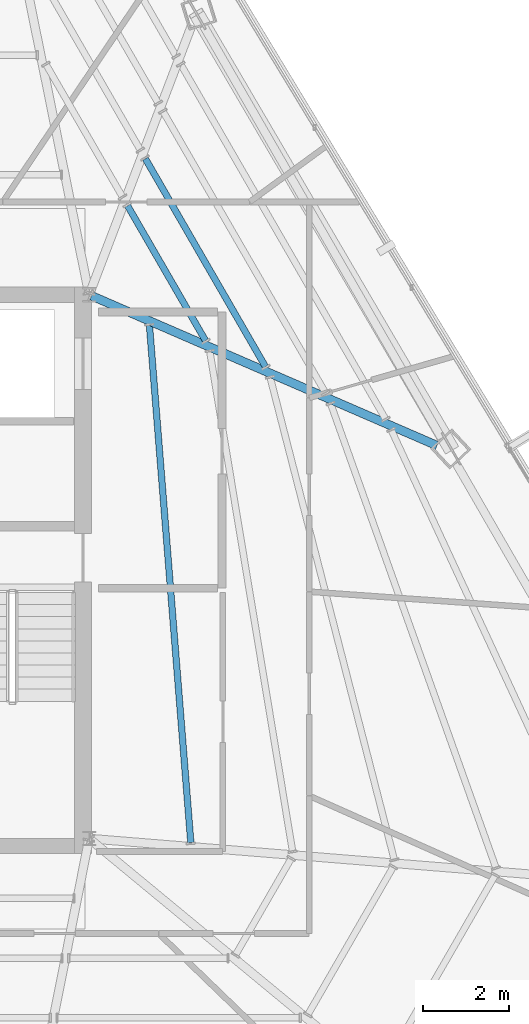
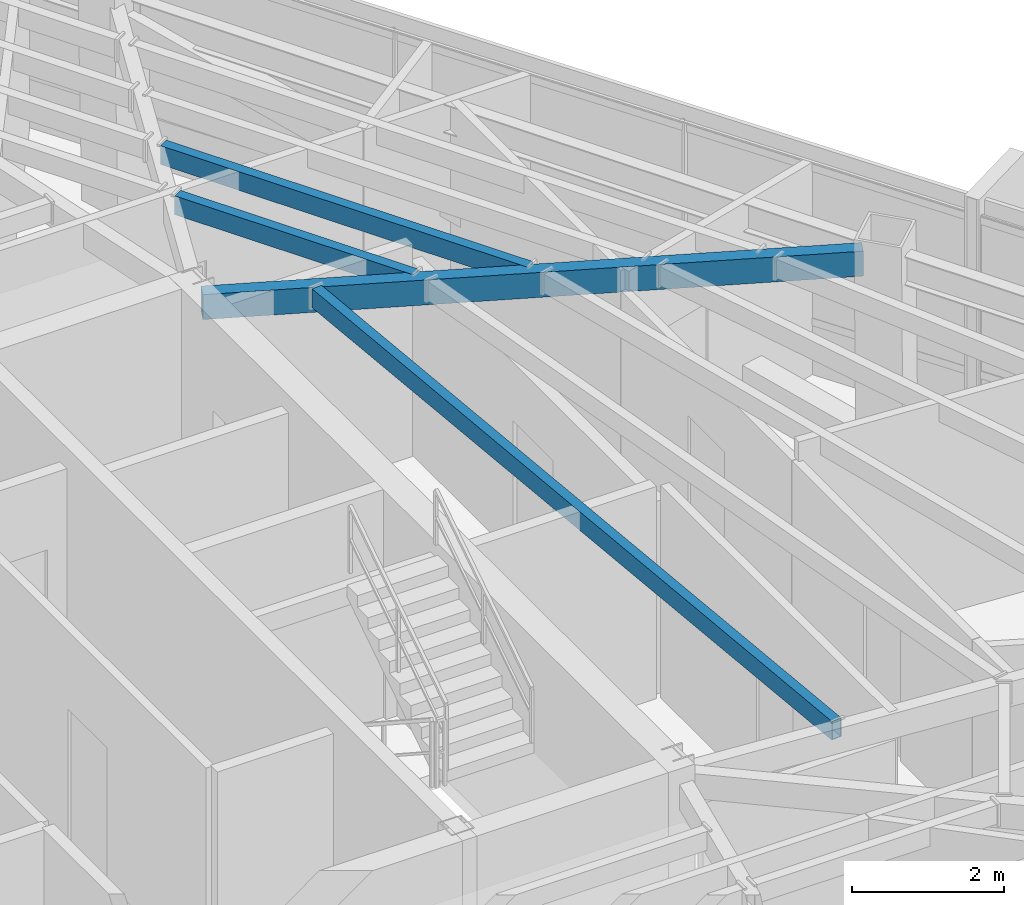
# One storey, part 25 of 45: 4 beams.
"""IFC4 building model written with IfcOpenShell, lengths in metres."""

import ifcopenshell
import ifcopenshell.guid

model = None  # the IFC model being written
_history = None  # IfcOwnerHistory: only IFC2X3 demands one
_inside = {}  # id of a spatial element -> (the spatial element, [elements in it])
_under = {}  # id of a project, library or spatial element -> (it, [spatial elements below it])
_declared = {}  # id of a project -> (the project, [libraries it declares])
_typed = {}  # id of a type object -> (the type object, [elements of that type])
_made_of = {}  # id of a material, layer set ... -> (it, [elements and type objects made of it])


def new_model(schema):
    """Start an empty IFC model of exactly this schema.

    Asked for "IFC4X3", IfcOpenShell would pick the latest addendum, in which some entities
    have other attributes; the version numbers below select the first issue.
    IFC2X3 requires an IfcOwnerHistory on every rooted entity: one is made here for all.
    """
    global model, _history
    if schema == "IFC4X3":
        model = ifcopenshell.file(schema_version=(4, 3, 0, 0))
    else:
        model = ifcopenshell.file(schema=schema)
    _inside.clear()
    _under.clear()
    _declared.clear()
    _typed.clear()
    _made_of.clear()
    _history = None
    if model.schema == "IFC2X3":
        org = make("IfcOrganization", Name="unknown")
        user = make(
            "IfcPersonAndOrganization",
            ThePerson=make("IfcPerson", FamilyName="unknown"),
            TheOrganization=org,
        )
        app = make(
            "IfcApplication",
            ApplicationDeveloper=org,
            Version="unknown",
            ApplicationFullName="unknown",
            ApplicationIdentifier="unknown",
        )
        _history = make(
            "IfcOwnerHistory",
            OwningUser=user,
            OwningApplication=app,
            ChangeAction="ADDED",
            CreationDate=0,
        )
    return model


def make(cls, **values):
    """One entity of the class cls with the attributes given. An attribute that is None is left unset."""
    return model.create_entity(
        cls, **{name: value for name, value in values.items() if value is not None}
    )


def rooted(cls, **values):
    """An entity with a GlobalId (a new one), such as an element, a storey or a relation."""
    return make(cls, GlobalId=ifcopenshell.guid.new(), OwnerHistory=_history, **values)


def si_unit(unit_type, name, prefix=None):
    """IfcSIUnit, for example si_unit("LENGTHUNIT", "METRE", prefix="MILLI")."""
    return make("IfcSIUnit", UnitType=unit_type, Prefix=prefix, Name=name)


def assignment(units):
    """IfcUnitAssignment: the units of a project."""
    return None if units is None else make("IfcUnitAssignment", Units=units)


def point(xyz):
    """IfcCartesianPoint."""
    return None if xyz is None else make("IfcCartesianPoint", Coordinates=xyz)


def direction(xyz):
    """IfcDirection."""
    return None if xyz is None else make("IfcDirection", DirectionRatios=xyz)


def frame(location, z_axis=None, x_axis=None):
    """IfcAxis2Placement3D, a coordinate frame: its origin and axes. An axis left out is left unset."""
    return make(
        "IfcAxis2Placement3D",
        Location=point(location),
        Axis=direction(z_axis),
        RefDirection=direction(x_axis),
    )


def frame_2d(location, x_axis=None):
    """IfcAxis2Placement2D, a coordinate frame in the plane: its origin and x axis."""
    return make(
        "IfcAxis2Placement2D", Location=point(location), RefDirection=direction(x_axis)
    )


def origin():
    """The frame at (0, 0, 0) with its axes left unset."""
    return frame((0.0, 0.0, 0.0))


def origin_2d():
    """The frame at (0, 0) in the plane with its x axis left unset."""
    return frame_2d((0.0, 0.0))


def place(relative_to, where):
    """IfcLocalPlacement: puts the frame where relative to a parent placement (None: the world)."""
    return make(
        "IfcLocalPlacement", PlacementRelTo=relative_to, RelativePlacement=where
    )


def context(
    kind, dimensions, precision=None, world=None, true_north=None, identifier=None
):
    """IfcGeometricRepresentationContext, for example the 3D "Model" context."""
    return make(
        "IfcGeometricRepresentationContext",
        ContextIdentifier=identifier,
        ContextType=kind,
        CoordinateSpaceDimension=dimensions,
        Precision=precision,
        WorldCoordinateSystem=world,
        TrueNorth=true_north,
    )


def subcontext(parent, identifier, kind, view, scale=None):
    """IfcGeometricRepresentationSubContext, for example "Body" below "Model"."""
    return make(
        "IfcGeometricRepresentationSubContext",
        ContextIdentifier=identifier,
        ContextType=kind,
        ParentContext=parent,
        TargetScale=scale,
        TargetView=view,
    )


def project(units=None, contexts=None):
    """IfcProject with its units and contexts."""
    return rooted(
        "IfcProject",
        Name="project",
        RepresentationContexts=contexts,
        UnitsInContext=assignment(units),
    )


def spatial(cls, under=None, at=None, **own):
    """A site, building, storey or space (cls), placed at a placement, below another one or the project."""
    s = rooted(cls, ObjectPlacement=at, **own)
    if under is not None:
        _under.setdefault(under.id(), (under, []))[1].append(s)
    return s


def profile(cls, at=None, kind="AREA", **sizes):
    """A parametric profile (cls). Its sizes go by their IFC names, for example OverallWidth=200.0."""
    return make(cls, ProfileType=kind, Position=at, **sizes)


def hollow_rectangle(**sizes):
    """IfcRectangleHollowProfileDef."""
    return profile("IfcRectangleHollowProfileDef", **sizes)


def extrude(swept, where, along, depth):
    """IfcExtrudedAreaSolid: the profile swept, set in the frame where, extruded along a direction by depth."""
    return make(
        "IfcExtrudedAreaSolid",
        SweptArea=swept,
        Position=where,
        ExtrudedDirection=direction(along),
        Depth=depth,
    )


def shape(context_of_items, identifier, shape_type, items):
    """IfcShapeRepresentation: the items that make up one representation, for example the "Body"."""
    return make(
        "IfcShapeRepresentation",
        ContextOfItems=context_of_items,
        RepresentationIdentifier=identifier,
        RepresentationType=shape_type,
        Items=items,
    )


def source(mapping_origin, context_of_items, identifier, shape_type, items):
    """IfcRepresentationMap: a shape defined once, which mapped items show again and again."""
    return make(
        "IfcRepresentationMap",
        MappingOrigin=mapping_origin,
        MappedRepresentation=shape(context_of_items, identifier, shape_type, items),
    )


def transform(
    local_origin,
    x_axis=None,
    y_axis=None,
    z_axis=None,
    scale=None,
    scale2=None,
    scale3=None,
    uniform=True,
):
    """IfcCartesianTransformationOperator3D, or its non-uniform kind. x_axis, y_axis, z_axis: its Axis1, 2, 3."""
    if uniform:
        return make(
            "IfcCartesianTransformationOperator3D",
            Axis1=direction(x_axis),
            Axis2=direction(y_axis),
            LocalOrigin=point(local_origin),
            Scale=scale,
            Axis3=direction(z_axis),
        )
    return make(
        "IfcCartesianTransformationOperator3DnonUniform",
        Axis1=direction(x_axis),
        Axis2=direction(y_axis),
        LocalOrigin=point(local_origin),
        Scale=scale,
        Axis3=direction(z_axis),
        Scale2=scale2,
        Scale3=scale3,
    )


def mapped(mapping_source, mapping_target):
    """IfcMappedItem: shows the shape of a source again, moved by a transform."""
    return make(
        "IfcMappedItem", MappingSource=mapping_source, MappingTarget=mapping_target
    )


def material(Name=None, Category=None):
    """IfcMaterial."""
    return make("IfcMaterial", Name=Name, Category=Category)


def material_profile(
    of_material, cross_section, Name=None, Category=None, Priority=None
):
    """IfcMaterialProfile: a cross section and its material."""
    return make(
        "IfcMaterialProfile",
        Name=Name,
        Material=of_material,
        Profile=cross_section,
        Priority=Priority,
        Category=Category,
    )


def profile_set(profiles, Name=None, composite=None):
    """IfcMaterialProfileSet."""
    return make(
        "IfcMaterialProfileSet",
        Name=Name,
        MaterialProfiles=profiles,
        CompositeProfile=composite,
    )


def made_of(thing, what):
    """Note that an element or type object is made of a material, layer set ...; save() writes the relation."""
    if what is not None:
        _made_of.setdefault(what.id(), (what, []))[1].append(thing)
    return thing


def type_object(cls, material=None, **own):
    """A type object (cls), such as IfcWallType, which elements share."""
    return made_of(rooted(cls, **own), material)


def type_shapes(of_type, sources):
    """Give a type object the sources (RepresentationMaps) that its elements show as mapped items."""
    of_type.RepresentationMaps = sources


def element(
    cls,
    number,
    at=None,
    inside=None,
    cuts=None,
    type_object=None,
    material=None,
    context=None,
    identifier="Body",
    shape_type=None,
    held_by="IfcProductDefinitionShape",
    body=None,
    shapes=None,
    **own,
):
    """One element of the class cls, such as IfcWall. Its Tag is "e" and its number.

    at: its placement. inside: the storey or other place that contains it. cuts: it is an
    opening in that element (IfcRelVoidsElement). A single representation is given by context,
    identifier, shape_type and body (its items); several are given by shapes. held_by: the class
    of the entity that holds the representations. save() writes the other relations.
    """
    e = rooted(cls, Tag="e%d" % number, ObjectPlacement=at, **own)
    if body is not None:
        shapes = [shape(context, identifier, shape_type, body)]
    if shapes is not None:
        e.Representation = make(held_by, Representations=shapes)
    if inside is not None:
        _inside.setdefault(inside.id(), (inside, []))[1].append(e)
    if cuts is not None:
        rooted(
            "IfcRelVoidsElement", RelatingBuildingElement=cuts, RelatedOpeningElement=e
        )
    if type_object is not None:
        _typed.setdefault(type_object.id(), (type_object, []))[1].append(e)
    return made_of(e, material)


def aggregate(whole, parts):
    """IfcRelAggregates: a whole, such as a stair, and the parts it consists of."""
    return rooted("IfcRelAggregates", RelatingObject=whole, RelatedObjects=parts)


def save(model, path):
    """Write the relations noted so far, then the file.

    IfcRelAggregates (storeys below a building ...), IfcRelContainedInSpatialStructure (elements
    in a storey), IfcRelDefinesByType, IfcRelAssociatesMaterial and IfcRelDeclares: one each for
    every whole, place, type object, material and project.
    """
    for whole, parts in _under.values():
        aggregate(whole, parts)
    for where, things in _inside.values():
        rooted(
            "IfcRelContainedInSpatialStructure",
            RelatedElements=things,
            RelatingStructure=where,
        )
    for kind, things in _typed.values():
        rooted("IfcRelDefinesByType", RelatedObjects=things, RelatingType=kind)
    for what, things in _made_of.values():
        rooted("IfcRelAssociatesMaterial", RelatedObjects=things, RelatingMaterial=what)
    for by, libraries in _declared.values():
        rooted("IfcRelDeclares", RelatingContext=by, RelatedDefinitions=libraries)
    model.write(path)


model = new_model("IFC4")

# Units and contexts
model_context = context("Model", 3, precision=1e-05, world=origin(), true_north=direction((0.0, 1.0)))
body_context = subcontext(model_context, "Body", "Model", "MODEL_VIEW")
ifc_project = project(units=[si_unit("LENGTHUNIT", "METRE"), si_unit("AREAUNIT", "SQUARE_METRE"), si_unit("VOLUMEUNIT", "CUBIC_METRE"), si_unit("PLANEANGLEUNIT", "RADIAN"), si_unit("MASSUNIT", "GRAM", prefix="KILO")], contexts=[model_context])

# Site, building, storey
site_placement = place(None, origin())
site = spatial("IfcSite", under=ifc_project, at=site_placement, CompositionType="ELEMENT")
building_placement = place(site_placement, origin())
building = spatial("IfcBuilding", under=site, at=building_placement, Name="Caelisora Broadcast Tower", CompositionType="ELEMENT")
storey_placement = place(building_placement, frame((0.0, 0.0, 240.800048828125)))
storey = spatial("IfcBuildingStorey", under=building, at=storey_placement, Name="L63", CompositionType="ELEMENT", Elevation=240.800048828125)

# Beams
ifc_material = material(Name="Steel Grade 350 (AS/NZS 1163 C350L0)", Category="steel")
ifc_material_profile_1 = material_profile(ifc_material, hollow_rectangle(XDim=0.199951171875, YDim=0.39990234375, WallThickness=0.012451171875, at=origin_2d()), Name="Steel Grade 350 (AS/NZS 1163 C350L0)")
ifc_profile_set_1 = profile_set([ifc_material_profile_1], Name="Steel Grade 350 (AS/NZS 1163 C350L0)")
beam_type_1 = type_object("IfcBeamType", Name="PG07", PredefinedType="BEAM", material=ifc_profile_set_1)
shared_shape_1 = source(origin(), body_context, "Body", "SweptSolid", [
    extrude(hollow_rectangle(XDim=0.199951171875, YDim=0.39990234375, WallThickness=0.012451171875, at=origin_2d()), origin(), (0.0, 0.0, 1.0), 8.725830078125),
])
type_shapes(beam_type_1, [shared_shape_1])
beam_1_placement = place(storey_placement, frame((45.554931640625, 29.97607421875, 3.199951171875), z_axis=(0.917418447845, -0.397923851452, 0.0), x_axis=(0.397923851452, 0.917418447845, 0.0)))
element("IfcBeam", 1, at=beam_1_placement, inside=storey, type_object=beam_type_1, Name="L63 beam PG07", PredefinedType="BEAM", context=body_context, shape_type="MappedRepresentation", body=[
    mapped(shared_shape_1, transform((0.0, 0.0, 0.0), scale=1.0)),
])
ifc_material_profile_2 = material_profile(ifc_material, hollow_rectangle(XDim=0.14990234375, YDim=0.300048828125, WallThickness=0.010009765625, at=origin_2d()), Name="Steel Grade 350 (AS/NZS 1163 C350L0)")
ifc_profile_set_2 = profile_set([ifc_material_profile_2], Name="Steel Grade 350 (AS/NZS 1163 C350L0)")
beam_type_2 = type_object("IfcBeamType", Name="SB05", PredefinedType="JOIST", material=ifc_profile_set_2)
shared_shape_2 = source(origin(), body_context, "Body", "SweptSolid", [
    extrude(hollow_rectangle(XDim=0.14990234375, YDim=0.300048828125, WallThickness=0.010009765625, at=origin_2d()), origin(), (0.0, 0.0, 1.0), 3.609619140625),
])
beam_2_placement = place(storey_placement, frame((48.1953125, 28.93798828125, 3.25), z_axis=(-0.500030798617, 0.866007621465, 0.0), x_axis=(-0.866007621465, -0.500030798617, 0.0)))
element("IfcBeam", 2, at=beam_2_placement, inside=storey, type_object=beam_type_2, Name="L63 beam SB05", PredefinedType="JOIST", context=body_context, shape_type="MappedRepresentation", body=[
    mapped(shared_shape_2, transform((0.0, 0.0, 0.0), scale=1.0)),
])
shared_shape_3 = source(origin(), body_context, "Body", "SweptSolid", [
    extrude(hollow_rectangle(XDim=0.14990234375, YDim=0.300048828125, WallThickness=0.010009765625, at=origin_2d()), origin(), (0.0, 0.0, 1.0), 5.56005859375),
])
beam_3_placement = place(storey_placement, frame((49.584228515625, 28.33544921875, 3.25), z_axis=(-0.49999738653, 0.866026912667, 0.0), x_axis=(-0.866026912667, -0.49999738653, 0.0)))
element("IfcBeam", 3, at=beam_3_placement, inside=storey, type_object=beam_type_2, Name="L63 beam SB05", PredefinedType="JOIST", context=body_context, shape_type="MappedRepresentation", body=[
    mapped(shared_shape_3, transform((0.0, 0.0, 0.0), scale=1.0)),
])
shared_shape_4 = source(origin(), body_context, "Body", "SweptSolid", [
    extrude(hollow_rectangle(XDim=0.14990234375, YDim=0.300048828125, WallThickness=0.010009765625, at=origin_2d()), origin(), (0.0, 0.0, 1.0), 12.01953125),
])
type_shapes(beam_type_2, [shared_shape_2, shared_shape_3, shared_shape_4])
beam_4_placement = place(storey_placement, frame((47.856201171875, 17.306396484375, 3.25), z_axis=(-0.079745222283, 0.996815278536, 0.0), x_axis=(-0.996815278536, -0.079745222283, 0.0)))
element("IfcBeam", 4, at=beam_4_placement, inside=storey, type_object=beam_type_2, Name="L63 beam SB05", PredefinedType="JOIST", context=body_context, shape_type="MappedRepresentation", body=[
    mapped(shared_shape_4, transform((0.0, 0.0, 0.0), scale=1.0)),
])

save(model, "model.ifc")
